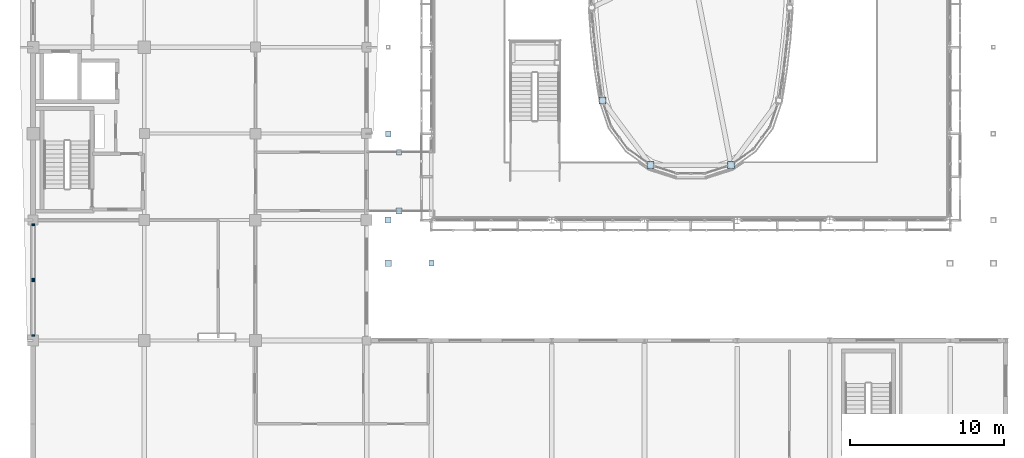
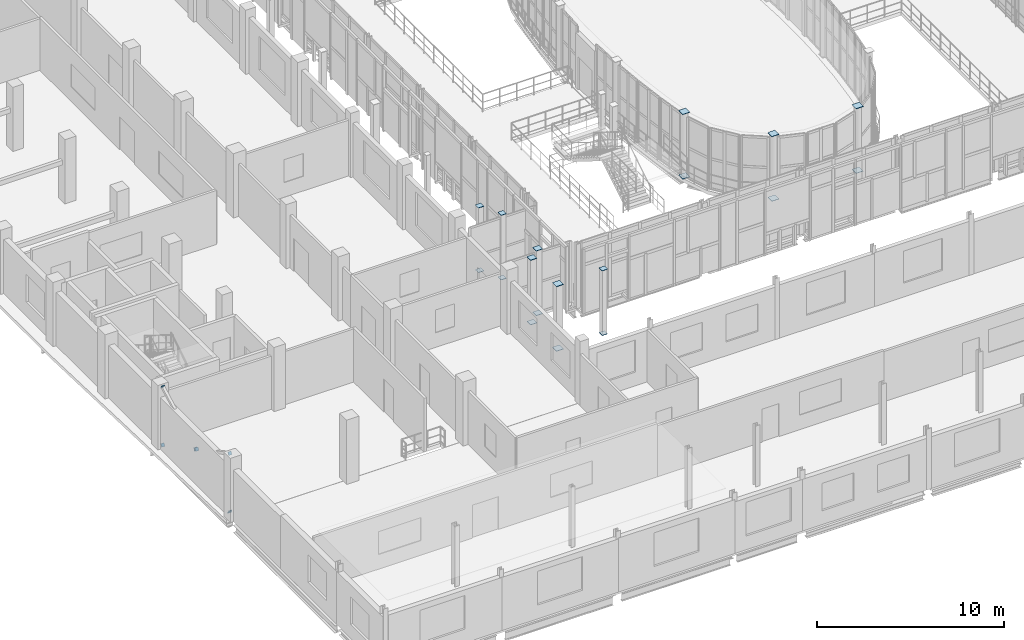
# One storey, part 88 of 121: 24 plates.
"""IFC4 building model written with IfcOpenShell, lengths in metres."""

import ifcopenshell
import ifcopenshell.guid

model = None  # the IFC model being written
_history = None  # IfcOwnerHistory: only IFC2X3 demands one
_inside = {}  # id of a spatial element -> (the spatial element, [elements in it])
_under = {}  # id of a project, library or spatial element -> (it, [spatial elements below it])
_declared = {}  # id of a project -> (the project, [libraries it declares])
_typed = {}  # id of a type object -> (the type object, [elements of that type])
_made_of = {}  # id of a material, layer set ... -> (it, [elements and type objects made of it])


def new_model(schema):
    """Start an empty IFC model of exactly this schema.

    Asked for "IFC4X3", IfcOpenShell would pick the latest addendum, in which some entities
    have other attributes; the version numbers below select the first issue.
    IFC2X3 requires an IfcOwnerHistory on every rooted entity: one is made here for all.
    """
    global model, _history
    if schema == "IFC4X3":
        model = ifcopenshell.file(schema_version=(4, 3, 0, 0))
    else:
        model = ifcopenshell.file(schema=schema)
    _inside.clear()
    _under.clear()
    _declared.clear()
    _typed.clear()
    _made_of.clear()
    _history = None
    if model.schema == "IFC2X3":
        org = make("IfcOrganization", Name="unknown")
        user = make(
            "IfcPersonAndOrganization",
            ThePerson=make("IfcPerson", FamilyName="unknown"),
            TheOrganization=org,
        )
        app = make(
            "IfcApplication",
            ApplicationDeveloper=org,
            Version="unknown",
            ApplicationFullName="unknown",
            ApplicationIdentifier="unknown",
        )
        _history = make(
            "IfcOwnerHistory",
            OwningUser=user,
            OwningApplication=app,
            ChangeAction="ADDED",
            CreationDate=0,
        )
    return model


def make(cls, **values):
    """One entity of the class cls with the attributes given. An attribute that is None is left unset."""
    return model.create_entity(
        cls, **{name: value for name, value in values.items() if value is not None}
    )


def rooted(cls, **values):
    """An entity with a GlobalId (a new one), such as an element, a storey or a relation."""
    return make(cls, GlobalId=ifcopenshell.guid.new(), OwnerHistory=_history, **values)


def si_unit(unit_type, name, prefix=None):
    """IfcSIUnit, for example si_unit("LENGTHUNIT", "METRE", prefix="MILLI")."""
    return make("IfcSIUnit", UnitType=unit_type, Prefix=prefix, Name=name)


def assignment(units):
    """IfcUnitAssignment: the units of a project."""
    return None if units is None else make("IfcUnitAssignment", Units=units)


def point(xyz):
    """IfcCartesianPoint."""
    return None if xyz is None else make("IfcCartesianPoint", Coordinates=xyz)


def direction(xyz):
    """IfcDirection."""
    return None if xyz is None else make("IfcDirection", DirectionRatios=xyz)


def frame(location, z_axis=None, x_axis=None):
    """IfcAxis2Placement3D, a coordinate frame: its origin and axes. An axis left out is left unset."""
    return make(
        "IfcAxis2Placement3D",
        Location=point(location),
        Axis=direction(z_axis),
        RefDirection=direction(x_axis),
    )


def frame_2d(location, x_axis=None):
    """IfcAxis2Placement2D, a coordinate frame in the plane: its origin and x axis."""
    return make(
        "IfcAxis2Placement2D", Location=point(location), RefDirection=direction(x_axis)
    )


def origin():
    """The frame at (0, 0, 0) with its axes left unset."""
    return frame((0.0, 0.0, 0.0))


def origin_2d():
    """The frame at (0, 0) in the plane with its x axis left unset."""
    return frame_2d((0.0, 0.0))


def place(relative_to, where):
    """IfcLocalPlacement: puts the frame where relative to a parent placement (None: the world)."""
    return make(
        "IfcLocalPlacement", PlacementRelTo=relative_to, RelativePlacement=where
    )


def context(
    kind, dimensions, precision=None, world=None, true_north=None, identifier=None
):
    """IfcGeometricRepresentationContext, for example the 3D "Model" context."""
    return make(
        "IfcGeometricRepresentationContext",
        ContextIdentifier=identifier,
        ContextType=kind,
        CoordinateSpaceDimension=dimensions,
        Precision=precision,
        WorldCoordinateSystem=world,
        TrueNorth=true_north,
    )


def subcontext(parent, identifier, kind, view, scale=None):
    """IfcGeometricRepresentationSubContext, for example "Body" below "Model"."""
    return make(
        "IfcGeometricRepresentationSubContext",
        ContextIdentifier=identifier,
        ContextType=kind,
        ParentContext=parent,
        TargetScale=scale,
        TargetView=view,
    )


def project(units=None, contexts=None):
    """IfcProject with its units and contexts."""
    return rooted(
        "IfcProject",
        Name="project",
        RepresentationContexts=contexts,
        UnitsInContext=assignment(units),
    )


def spatial(cls, under=None, at=None, **own):
    """A site, building, storey or space (cls), placed at a placement, below another one or the project."""
    s = rooted(cls, ObjectPlacement=at, **own)
    if under is not None:
        _under.setdefault(under.id(), (under, []))[1].append(s)
    return s


def profile(cls, at=None, kind="AREA", **sizes):
    """A parametric profile (cls). Its sizes go by their IFC names, for example OverallWidth=200.0."""
    return make(cls, ProfileType=kind, Position=at, **sizes)


def rectangle(**sizes):
    """IfcRectangleProfileDef."""
    return profile("IfcRectangleProfileDef", **sizes)


def extrude(swept, where, along, depth):
    """IfcExtrudedAreaSolid: the profile swept, set in the frame where, extruded along a direction by depth."""
    return make(
        "IfcExtrudedAreaSolid",
        SweptArea=swept,
        Position=where,
        ExtrudedDirection=direction(along),
        Depth=depth,
    )


def shape(context_of_items, identifier, shape_type, items):
    """IfcShapeRepresentation: the items that make up one representation, for example the "Body"."""
    return make(
        "IfcShapeRepresentation",
        ContextOfItems=context_of_items,
        RepresentationIdentifier=identifier,
        RepresentationType=shape_type,
        Items=items,
    )


def material(Name=None, Category=None):
    """IfcMaterial."""
    return make("IfcMaterial", Name=Name, Category=Category)


def material_profile(
    of_material, cross_section, Name=None, Category=None, Priority=None
):
    """IfcMaterialProfile: a cross section and its material."""
    return make(
        "IfcMaterialProfile",
        Name=Name,
        Material=of_material,
        Profile=cross_section,
        Priority=Priority,
        Category=Category,
    )


def profile_set(profiles, Name=None, composite=None):
    """IfcMaterialProfileSet."""
    return make(
        "IfcMaterialProfileSet",
        Name=Name,
        MaterialProfiles=profiles,
        CompositeProfile=composite,
    )


def made_of(thing, what):
    """Note that an element or type object is made of a material, layer set ...; save() writes the relation."""
    if what is not None:
        _made_of.setdefault(what.id(), (what, []))[1].append(thing)
    return thing


def type_object(cls, material=None, **own):
    """A type object (cls), such as IfcWallType, which elements share."""
    return made_of(rooted(cls, **own), material)


def element(
    cls,
    number,
    at=None,
    inside=None,
    cuts=None,
    type_object=None,
    material=None,
    context=None,
    identifier="Body",
    shape_type=None,
    held_by="IfcProductDefinitionShape",
    body=None,
    shapes=None,
    **own,
):
    """One element of the class cls, such as IfcWall. Its Tag is "e" and its number.

    at: its placement. inside: the storey or other place that contains it. cuts: it is an
    opening in that element (IfcRelVoidsElement). A single representation is given by context,
    identifier, shape_type and body (its items); several are given by shapes. held_by: the class
    of the entity that holds the representations. save() writes the other relations.
    """
    e = rooted(cls, Tag="e%d" % number, ObjectPlacement=at, **own)
    if body is not None:
        shapes = [shape(context, identifier, shape_type, body)]
    if shapes is not None:
        e.Representation = make(held_by, Representations=shapes)
    if inside is not None:
        _inside.setdefault(inside.id(), (inside, []))[1].append(e)
    if cuts is not None:
        rooted(
            "IfcRelVoidsElement", RelatingBuildingElement=cuts, RelatedOpeningElement=e
        )
    if type_object is not None:
        _typed.setdefault(type_object.id(), (type_object, []))[1].append(e)
    return made_of(e, material)


def aggregate(whole, parts):
    """IfcRelAggregates: a whole, such as a stair, and the parts it consists of."""
    return rooted("IfcRelAggregates", RelatingObject=whole, RelatedObjects=parts)


def save(model, path):
    """Write the relations noted so far, then the file.

    IfcRelAggregates (storeys below a building ...), IfcRelContainedInSpatialStructure (elements
    in a storey), IfcRelDefinesByType, IfcRelAssociatesMaterial and IfcRelDeclares: one each for
    every whole, place, type object, material and project.
    """
    for whole, parts in _under.values():
        aggregate(whole, parts)
    for where, things in _inside.values():
        rooted(
            "IfcRelContainedInSpatialStructure",
            RelatedElements=things,
            RelatingStructure=where,
        )
    for kind, things in _typed.values():
        rooted("IfcRelDefinesByType", RelatedObjects=things, RelatingType=kind)
    for what, things in _made_of.values():
        rooted("IfcRelAssociatesMaterial", RelatedObjects=things, RelatingMaterial=what)
    for by, libraries in _declared.values():
        rooted("IfcRelDeclares", RelatingContext=by, RelatedDefinitions=libraries)
    model.write(path)


model = new_model("IFC4")

# Units and contexts
model_context = context("Model", 3, precision=1e-05, world=origin(), true_north=direction((0.0, 1.0)))
body_context = subcontext(model_context, "Body", "Model", "MODEL_VIEW")
ifc_project = project(units=[si_unit("LENGTHUNIT", "METRE"), si_unit("AREAUNIT", "SQUARE_METRE"), si_unit("VOLUMEUNIT", "CUBIC_METRE"), si_unit("PLANEANGLEUNIT", "RADIAN"), si_unit("MASSUNIT", "GRAM", prefix="KILO")], contexts=[model_context])

# Site, building, storey
site_placement = place(None, origin())
site = spatial("IfcSite", under=ifc_project, at=site_placement, CompositionType="ELEMENT")
building_placement = place(site_placement, origin())
building = spatial("IfcBuilding", under=site, at=building_placement, Name="Vinh Khe Railworks Police Headquarters", CompositionType="ELEMENT")
storey_placement = place(building_placement, frame((0.0, 0.0, 4.800048828125)))
storey = spatial("IfcBuildingStorey", under=building, at=storey_placement, Name="L01", CompositionType="ELEMENT", Elevation=4.800048828125)

# Plates
ifc_material = material(Name="Steel S355JR", Category="steel")
ifc_material_profile_1 = material_profile(ifc_material, rectangle(XDim=0.199951171875, YDim=0.199951171875, at=origin_2d()), Name="PL 200x200")
ifc_profile_set_1 = profile_set([ifc_material_profile_1], Name="Steel S355JR")
plate_type_1 = type_object("IfcPlateType", Name="Steel End-Cap Plate 200x200x24", PredefinedType="SHEET", material=ifc_profile_set_1)
for number, where, z_axis, x_axis, name in (
    (1, (0.60009765625, 17.72998046875, 0.199951171875), (0.0, -0.884034960309, -0.467420783611), (1.0, 0.0, 0.0), "End-Cap Gusset Plate PLT-EP-0015"),
    (2, (0.60009765625, 17.72998046875, 4.0), (0.0, -0.884034960309, 0.467420783611), (1.0, 0.0, 0.0), "End-Cap Gusset Plate PLT-EP-0016"),
    (3, (0.60009765625, 21.239013671875, 2.138916015625), (0.0, 0.884034960309, -0.467420783611), (-1.0, 0.0, 0.0), "End-Cap Gusset Plate PLT-EP-0021"),
    (4, (0.60009765625, 21.385986328125, 2.06103515625), (0.0, -0.884034960309, 0.467420783611), (1.0, 0.0, 0.0), "End-Cap Gusset Plate PLT-EP-0030"),
    (5, (0.60009765625, 24.89501953125, 0.199951171875), (0.0, 0.884034960309, -0.467420783611), (-1.0, 0.0, 0.0), "End-Cap Gusset Plate PLT-EP-0035"),
    (6, (0.60009765625, 24.89501953125, 4.0), (0.0, 0.884034960309, 0.467420783611), (-1.0, 0.0, 0.0), "End-Cap Gusset Plate PLT-EP-0036"),
):
    element("IfcPlate", number, at=place(storey_placement, frame(where, z_axis=z_axis, x_axis=x_axis)), inside=storey, type_object=plate_type_1, Name=name, PredefinedType="SHEET", context=body_context, shape_type="SweptSolid", body=[
        extrude(rectangle(XDim=0.199951171875, YDim=0.199951171875, at=origin_2d()), origin(), (0.0, 0.0, 1.0), 0.02392578125),
    ])
ifc_material_profile_2 = material_profile(ifc_material, rectangle(XDim=0.340087890625, YDim=0.340087890625, at=origin_2d()), Name="PL 340x340")
ifc_profile_set_2 = profile_set([ifc_material_profile_2], Name="Steel S355JR")
plate_type_2 = type_object("IfcPlateType", Name="Steel End-Cap Plate 340x340x24", PredefinedType="SHEET", material=ifc_profile_set_2)
plate_1_placement = place(storey_placement, frame((23.60009765625, 30.800048828125, 0.0), z_axis=(0.0, 0.0, -1.0), x_axis=(1.0, 0.0, 0.0)))
element("IfcPlate", 7, at=plate_1_placement, inside=storey, type_object=plate_type_2, Name="End-Cap Gusset Plate PLT-EP-0151", PredefinedType="SHEET", context=body_context, shape_type="SweptSolid", body=[
    extrude(rectangle(XDim=0.340087890625, YDim=0.340087890625, at=origin_2d()), origin(), (0.0, 0.0, 1.0), 0.024169921875),
])
plate_2_placement = place(storey_placement, frame((23.60009765625, 30.800048828125, 4.199951171875), z_axis=(0.0, 0.0, 1.0), x_axis=(1.0, 0.0, 0.0)))
element("IfcPlate", 8, at=plate_2_placement, inside=storey, type_object=plate_type_2, Name="End-Cap Gusset Plate PLT-EP-0154", PredefinedType="SHEET", context=body_context, shape_type="SweptSolid", body=[
    extrude(rectangle(XDim=0.340087890625, YDim=0.340087890625, at=origin_2d()), origin(), (0.0, 0.0, 1.0), 0.02392578125),
])
plate_3_placement = place(storey_placement, frame((24.300048828125, 29.60009765625, 0.0), z_axis=(0.0, 0.0, -1.0), x_axis=(1.0, 0.0, 0.0)))
element("IfcPlate", 9, at=plate_3_placement, inside=storey, type_object=plate_type_2, Name="End-Cap Gusset Plate PLT-EP-0218", PredefinedType="SHEET", context=body_context, shape_type="SweptSolid", body=[
    extrude(rectangle(XDim=0.340087890625, YDim=0.340087890625, at=origin_2d()), origin(), (0.0, 0.0, 1.0), 0.024169921875),
])
plate_4_placement = place(storey_placement, frame((24.300048828125, 29.60009765625, 4.199951171875), z_axis=(0.0, 0.0, 1.0), x_axis=(1.0, 0.0, 0.0)))
element("IfcPlate", 10, at=plate_4_placement, inside=storey, type_object=plate_type_2, Name="End-Cap Gusset Plate PLT-EP-0221", PredefinedType="SHEET", context=body_context, shape_type="SweptSolid", body=[
    extrude(rectangle(XDim=0.340087890625, YDim=0.340087890625, at=origin_2d()), origin(), (0.0, 0.0, 1.0), 0.02392578125),
])
plate_5_placement = place(storey_placement, frame((26.39990234375, 22.39990234375, 0.0), z_axis=(0.0, 0.0, -1.0), x_axis=(1.0, 0.0, 0.0)))
element("IfcPlate", 11, at=plate_5_placement, inside=storey, type_object=plate_type_2, Name="End-Cap Gusset Plate PLT-EP-0224", PredefinedType="SHEET", context=body_context, shape_type="SweptSolid", body=[
    extrude(rectangle(XDim=0.340087890625, YDim=0.340087890625, at=origin_2d()), origin(), (0.0, 0.0, 1.0), 0.024169921875),
])
plate_6_placement = place(storey_placement, frame((26.39990234375, 22.39990234375, 4.199951171875), z_axis=(0.0, 0.0, 1.0), x_axis=(1.0, 0.0, 0.0)))
element("IfcPlate", 12, at=plate_6_placement, inside=storey, type_object=plate_type_2, Name="End-Cap Gusset Plate PLT-EP-0227", PredefinedType="SHEET", context=body_context, shape_type="SweptSolid", body=[
    extrude(rectangle(XDim=0.340087890625, YDim=0.340087890625, at=origin_2d()), origin(), (0.0, 0.0, 1.0), 0.02392578125),
])
ifc_material_profile_3 = material_profile(ifc_material, rectangle(XDim=0.389892578125, YDim=0.389892578125, at=origin_2d()), Name="PL 390x390")
ifc_profile_set_3 = profile_set([ifc_material_profile_3], Name="Steel S355JR")
plate_type_3 = type_object("IfcPlateType", Name="Steel End-Cap Plate 390x390x24", PredefinedType="SHEET", material=ifc_profile_set_3)
plate_7_placement = place(storey_placement, frame((23.60009765625, 25.199951171875, 0.0), z_axis=(0.0, 0.0, -1.0), x_axis=(1.0, 0.0, 0.0)))
element("IfcPlate", 13, at=plate_7_placement, inside=storey, type_object=plate_type_3, Name="End-Cap Gusset Plate PLT-EP-0142", PredefinedType="SHEET", context=body_context, shape_type="SweptSolid", body=[
    extrude(rectangle(XDim=0.389892578125, YDim=0.389892578125, at=origin_2d()), origin(), (0.0, 0.0, 1.0), 0.024169921875),
])
plate_8_placement = place(storey_placement, frame((23.60009765625, 25.199951171875, 4.199951171875), z_axis=(0.0, 0.0, 1.0), x_axis=(1.0, 0.0, 0.0)))
element("IfcPlate", 14, at=plate_8_placement, inside=storey, type_object=plate_type_3, Name="End-Cap Gusset Plate PLT-EP-0145", PredefinedType="SHEET", context=body_context, shape_type="SweptSolid", body=[
    extrude(rectangle(XDim=0.389892578125, YDim=0.389892578125, at=origin_2d()), origin(), (0.0, 0.0, 1.0), 0.02392578125),
])
plate_9_placement = place(storey_placement, frame((24.300048828125, 25.800048828125, 0.0), z_axis=(0.0, 0.0, -1.0), x_axis=(1.0, 0.0, 0.0)))
element("IfcPlate", 15, at=plate_9_placement, inside=storey, type_object=plate_type_3, Name="End-Cap Gusset Plate PLT-EP-0212", PredefinedType="SHEET", context=body_context, shape_type="SweptSolid", body=[
    extrude(rectangle(XDim=0.389892578125, YDim=0.389892578125, at=origin_2d()), origin(), (0.0, 0.0, 1.0), 0.024169921875),
])
plate_10_placement = place(storey_placement, frame((24.300048828125, 25.800048828125, 4.199951171875), z_axis=(0.0, 0.0, 1.0), x_axis=(1.0, 0.0, 0.0)))
element("IfcPlate", 16, at=plate_10_placement, inside=storey, type_object=plate_type_3, Name="End-Cap Gusset Plate PLT-EP-0215", PredefinedType="SHEET", context=body_context, shape_type="SweptSolid", body=[
    extrude(rectangle(XDim=0.389892578125, YDim=0.389892578125, at=origin_2d()), origin(), (0.0, 0.0, 1.0), 0.02392578125),
])
ifc_material_profile_4 = material_profile(ifc_material, rectangle(XDim=0.43994140625, YDim=0.43994140625, at=origin_2d()), Name="PL 440x440")
ifc_profile_set_4 = profile_set([ifc_material_profile_4], Name="Steel S355JR")
plate_type_4 = type_object("IfcPlateType", Name="Steel End-Cap Plate 440x440x24", PredefinedType="SHEET", material=ifc_profile_set_4)
plate_11_placement = place(storey_placement, frame((23.60009765625, 22.39990234375, 0.0), z_axis=(0.0, 0.0, -1.0), x_axis=(1.0, 0.0, 0.0)))
element("IfcPlate", 17, at=plate_11_placement, inside=storey, type_object=plate_type_4, Name="End-Cap Gusset Plate PLT-EP-0134", PredefinedType="SHEET", context=body_context, shape_type="SweptSolid", body=[
    extrude(rectangle(XDim=0.43994140625, YDim=0.43994140625, at=origin_2d()), origin(), (0.0, 0.0, 1.0), 0.024169921875),
])
plate_12_placement = place(storey_placement, frame((23.60009765625, 22.39990234375, 4.199951171875), z_axis=(0.0, 0.0, 1.0), x_axis=(1.0, 0.0, 0.0)))
element("IfcPlate", 18, at=plate_12_placement, inside=storey, type_object=plate_type_4, Name="End-Cap Gusset Plate PLT-EP-0137", PredefinedType="SHEET", context=body_context, shape_type="SweptSolid", body=[
    extrude(rectangle(XDim=0.43994140625, YDim=0.43994140625, at=origin_2d()), origin(), (0.0, 0.0, 1.0), 0.02392578125),
])
ifc_material_profile_5 = material_profile(ifc_material, rectangle(XDim=0.446044921875, YDim=0.446044921875, at=origin_2d()), Name="PL 446x446")
ifc_profile_set_5 = profile_set([ifc_material_profile_5], Name="Steel S355JR")
plate_type_5 = type_object("IfcPlateType", Name="Steel End-Cap Plate 446x446x24", PredefinedType="SHEET", material=ifc_profile_set_5)
plate_13_placement = place(storey_placement, frame((37.48681640625, 32.944091796875, 0.0), z_axis=(0.0, 0.0, -1.0), x_axis=(1.0, 0.0, 0.0)))
element("IfcPlate", 19, at=plate_13_placement, inside=storey, type_object=plate_type_5, Name="End-Cap Gusset Plate PLT-EP-0351", PredefinedType="SHEET", context=body_context, shape_type="SweptSolid", body=[
    extrude(rectangle(XDim=0.446044921875, YDim=0.446044921875, at=origin_2d()), origin(), (0.0, 0.0, 1.0), 0.024169921875),
])
plate_14_placement = place(storey_placement, frame((37.48681640625, 32.944091796875, 4.199951171875), z_axis=(0.0, 0.0, 1.0), x_axis=(1.0, 0.0, 0.0)))
element("IfcPlate", 20, at=plate_14_placement, inside=storey, type_object=plate_type_5, Name="End-Cap Gusset Plate PLT-EP-0354", PredefinedType="SHEET", context=body_context, shape_type="SweptSolid", body=[
    extrude(rectangle(XDim=0.446044921875, YDim=0.446044921875, at=origin_2d()), origin(), (0.0, 0.0, 1.0), 0.02392578125),
])
plate_15_placement = place(storey_placement, frame((40.594970703125, 28.762451171875, 0.0), z_axis=(0.0, 0.0, -1.0), x_axis=(1.0, 0.0, 0.0)))
element("IfcPlate", 21, at=plate_15_placement, inside=storey, type_object=plate_type_5, Name="End-Cap Gusset Plate PLT-EP-0397", PredefinedType="SHEET", context=body_context, shape_type="SweptSolid", body=[
    extrude(rectangle(XDim=0.446044921875, YDim=0.446044921875, at=origin_2d()), origin(), (0.0, 0.0, 1.0), 0.024169921875),
])
plate_16_placement = place(storey_placement, frame((40.594970703125, 28.762451171875, 4.199951171875), z_axis=(0.0, 0.0, 1.0), x_axis=(1.0, 0.0, 0.0)))
element("IfcPlate", 22, at=plate_16_placement, inside=storey, type_object=plate_type_5, Name="End-Cap Gusset Plate PLT-EP-0400", PredefinedType="SHEET", context=body_context, shape_type="SweptSolid", body=[
    extrude(rectangle(XDim=0.446044921875, YDim=0.446044921875, at=origin_2d()), origin(), (0.0, 0.0, 1.0), 0.02392578125),
])
plate_17_placement = place(storey_placement, frame((45.80517578125, 28.762451171875, 0.0), z_axis=(0.0, 0.0, -1.0), x_axis=(1.0, 0.0, 0.0)))
element("IfcPlate", 23, at=plate_17_placement, inside=storey, type_object=plate_type_5, Name="End-Cap Gusset Plate PLT-EP-0427", PredefinedType="SHEET", context=body_context, shape_type="SweptSolid", body=[
    extrude(rectangle(XDim=0.446044921875, YDim=0.446044921875, at=origin_2d()), origin(), (0.0, 0.0, 1.0), 0.024169921875),
])
plate_18_placement = place(storey_placement, frame((45.80517578125, 28.762451171875, 4.199951171875), z_axis=(0.0, 0.0, 1.0), x_axis=(1.0, 0.0, 0.0)))
element("IfcPlate", 24, at=plate_18_placement, inside=storey, type_object=plate_type_5, Name="End-Cap Gusset Plate PLT-EP-0430", PredefinedType="SHEET", context=body_context, shape_type="SweptSolid", body=[
    extrude(rectangle(XDim=0.446044921875, YDim=0.446044921875, at=origin_2d()), origin(), (0.0, 0.0, 1.0), 0.02392578125),
])

save(model, "model.ifc")
